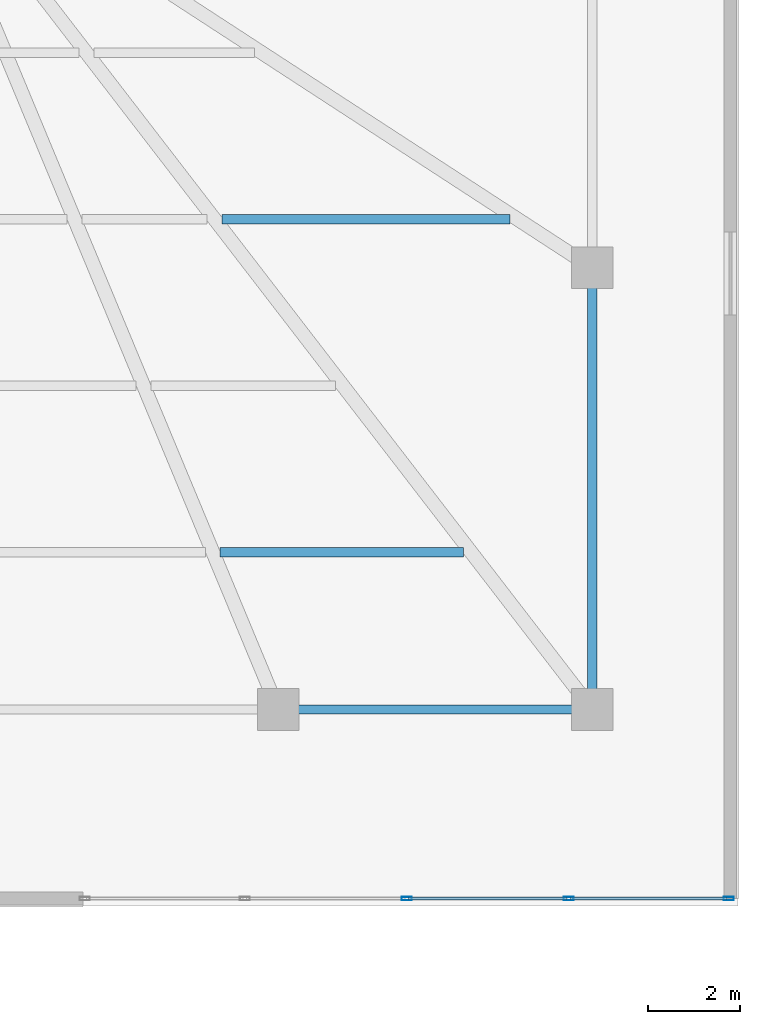
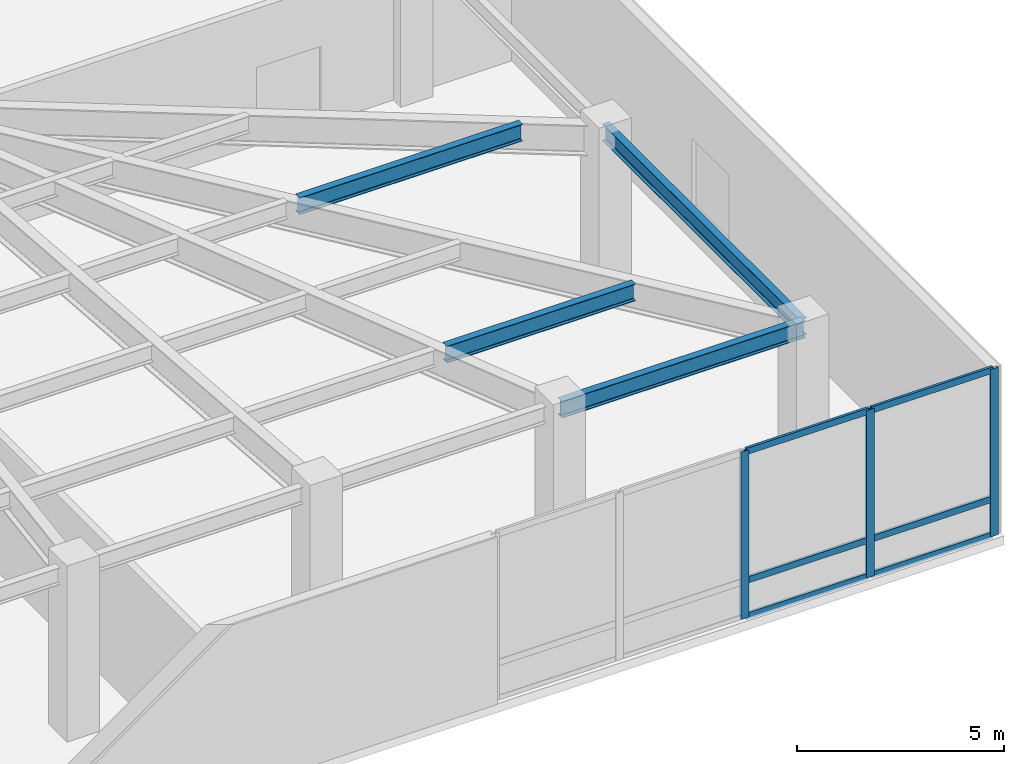
# One storey, part 6 of 15: 9 members, 4 beams, 1 element without a shape of its own.
"""IFC4 building model written with IfcOpenShell, lengths in metres."""

from ifc_helpers import new_model, si_unit, direction, frame, origin, origin_2d, place, context, subcontext, project, spatial, hollow_rectangle, i_section, extrude, material, material_profile, profile_set, type_object, element, aggregate, save


model = new_model("IFC4")

# Units and contexts
model_context = context("Model", 3, precision=1e-05, world=origin(), true_north=direction((0.0, 1.0)))
body_context = subcontext(model_context, "Body", "Model", "MODEL_VIEW")
ifc_project = project(units=[si_unit("LENGTHUNIT", "METRE"), si_unit("AREAUNIT", "SQUARE_METRE"), si_unit("VOLUMEUNIT", "CUBIC_METRE"), si_unit("PLANEANGLEUNIT", "RADIAN"), si_unit("MASSUNIT", "GRAM", prefix="KILO")], contexts=[model_context])

# Site, building, storey
site_placement = place(None, origin())
site = spatial("IfcSite", under=ifc_project, at=site_placement, CompositionType="ELEMENT")
building_placement = place(site_placement, origin())
building = spatial("IfcBuilding", under=site, at=building_placement, Name="Yelkora Congress Tower", CompositionType="ELEMENT")
storey_placement = place(building_placement, frame((0.0, 0.0, 10.39990234375)))
storey = spatial("IfcBuildingStorey", under=building, at=storey_placement, Name="L02", CompositionType="ELEMENT", Elevation=10.39990234375)

# Beams
ifc_material_1 = material(Name="Steel S355J2", Category="steel")
ifc_material_profile_1 = material_profile(ifc_material_1, i_section(OverallWidth=0.199951171875, OverallDepth=0.5, WebThickness=0.01025390625, FlangeThickness=0.01611328125, FilletRadius=0.02099609375, at=origin_2d()), Name="IPE 500")
ifc_profile_set_1 = profile_set([ifc_material_profile_1], Name="Steel S355J2")
beam_type_1 = type_object("IfcBeamType", Name="BM-JOIST-IPE500", PredefinedType="JOIST", material=ifc_profile_set_1)
beam_1_placement = place(storey_placement, frame((64.306640625, 9.449951171875, 4.690185546875), z_axis=(1.0, 0.0, 0.0), x_axis=(0.0, 1.0, 0.0)))
element("IfcBeam", 1, at=beam_1_placement, inside=storey, type_object=beam_type_1, Name="L02 Composite Floor Joist 10", PredefinedType="JOIST", context=body_context, shape_type="SweptSolid", body=[
    extrude(i_section(OverallWidth=0.199951171875, OverallDepth=0.5, WebThickness=0.01025390625, FlangeThickness=0.01611328125, FilletRadius=0.02099609375, at=origin_2d()), origin(), (0.0, 0.0, 1.0), 5.2646484375),
])
beam_2_placement = place(storey_placement, frame((64.345458984375, 16.64990234375, 4.690185546875), z_axis=(1.0, 0.0, 0.0), x_axis=(0.0, 1.0, 0.0)))
element("IfcBeam", 2, at=beam_2_placement, inside=storey, type_object=beam_type_1, Name="L02 Composite Floor Joist 31", PredefinedType="JOIST", context=body_context, shape_type="SweptSolid", body=[
    extrude(i_section(OverallWidth=0.199951171875, OverallDepth=0.5, WebThickness=0.01025390625, FlangeThickness=0.01611328125, FilletRadius=0.02099609375, at=origin_2d()), origin(), (0.0, 0.0, 1.0), 6.231201171875),
])
ifc_material_profile_2 = material_profile(ifc_material_1, i_section(OverallWidth=0.199951171875, OverallDepth=0.5, WebThickness=0.01025390625, FlangeThickness=0.01611328125, FilletRadius=0.02099609375, at=origin_2d()), Name="IPE 500")
ifc_profile_set_2 = profile_set([ifc_material_profile_2], Name="Steel S355J2")
beam_type_2 = type_object("IfcBeamType", Name="BM-SPAN-IPE500B", PredefinedType="BEAM", material=ifc_profile_set_2)
beam_3_placement = place(storey_placement, frame((65.56005859375, 6.050048828125, 4.690185546875), z_axis=(1.0, 0.0, 0.0), x_axis=(0.0, 1.0, 0.0)))
element("IfcBeam", 3, at=beam_3_placement, inside=storey, type_object=beam_type_2, Name="L02 Perimeter Beam 11", PredefinedType="BEAM", context=body_context, shape_type="SweptSolid", body=[
    extrude(i_section(OverallWidth=0.199951171875, OverallDepth=0.5, WebThickness=0.01025390625, FlangeThickness=0.01611328125, FilletRadius=0.02099609375, at=origin_2d()), origin(), (0.0, 0.0, 1.0), 6.7900390625),
])
beam_4_placement = place(storey_placement, frame((72.35009765625, 6.050048828125, 4.690185546875), z_axis=(0.0, 1.0, 0.0), x_axis=(-1.0, 0.0, 0.0)))
element("IfcBeam", 4, at=beam_4_placement, inside=storey, type_object=beam_type_2, Name="L02 Perimeter Beam 12", PredefinedType="BEAM", context=body_context, shape_type="SweptSolid", body=[
    extrude(i_section(OverallWidth=0.199951171875, OverallDepth=0.5, WebThickness=0.01025390625, FlangeThickness=0.01611328125, FilletRadius=0.02099609375, at=origin_2d()), origin(), (0.0, 0.0, 1.0), 9.550048828125),
])

# Curtain wall, members
ifc_material_2 = material(Name="Anodised aluminium and insulated glass", Category="aluminium")
curtain_wall_type = type_object("IfcCurtainWallType", Name="CW-SYS-POD", PredefinedType="NOTDEFINED", material=ifc_material_2)
curtain_wall_placement = place(storey_placement, origin())
curtain_wall = element("IfcCurtainWall", 5, at=curtain_wall_placement, inside=storey, type_object=curtain_wall_type, Name="L02 Podium Curtain Wall East", PredefinedType="NOTDEFINED")
ifc_material_3 = material(Name="Anodised aluminium 6063-T6", Category="aluminium")
ifc_material_profile_3 = material_profile(ifc_material_3, hollow_rectangle(XDim=0.074951171875, YDim=0.219970703125, WallThickness=0.0048828125, at=origin_2d()), Name="ALU 75x220x5")
ifc_profile_set_3 = profile_set([ifc_material_profile_3], Name="Anodised aluminium 6063-T6")
member_type_1 = type_object("IfcMemberType", Name="MEM-ML-POD", PredefinedType="MULLION", material=ifc_profile_set_3)
member_1_placement = place(storey_placement, frame((68.340087890625, 1.9599609375, 0.0), z_axis=(0.0, 0.0, 1.0), x_axis=(0.0, 1.0, 0.0)))
member_1 = element("IfcMember", 6, at=member_1_placement, type_object=member_type_1, Name="CW-POD mullion 3", PredefinedType="MULLION", context=body_context, shape_type="SweptSolid", body=[
    extrude(hollow_rectangle(XDim=0.074951171875, YDim=0.219970703125, WallThickness=0.0048828125, at=origin_2d()), origin(), (0.0, 0.0, 1.0), 4.940185546875),
])
member_2_placement = place(storey_placement, frame((71.840087890625, 1.9599609375, 0.0), z_axis=(0.0, 0.0, 1.0), x_axis=(0.0, 1.0, 0.0)))
member_2 = element("IfcMember", 7, at=member_2_placement, type_object=member_type_1, Name="CW-POD mullion 4", PredefinedType="MULLION", context=body_context, shape_type="SweptSolid", body=[
    extrude(hollow_rectangle(XDim=0.074951171875, YDim=0.219970703125, WallThickness=0.0048828125, at=origin_2d()), origin(), (0.0, 0.0, 1.0), 4.940185546875),
])
member_3_placement = place(storey_placement, frame((75.302490234375, 1.9599609375, 0.0), z_axis=(0.0, 0.0, 1.0), x_axis=(0.0, 1.0, 0.0)))
member_3 = element("IfcMember", 8, at=member_3_placement, type_object=member_type_1, Name="CW-POD mullion 5", PredefinedType="MULLION", context=body_context, shape_type="SweptSolid", body=[
    extrude(hollow_rectangle(XDim=0.074951171875, YDim=0.219970703125, WallThickness=0.0048828125, at=origin_2d()), origin(), (0.0, 0.0, 1.0), 4.940185546875),
])
ifc_material_profile_4 = material_profile(ifc_material_3, hollow_rectangle(XDim=0.070068359375, YDim=0.18994140625, WallThickness=0.00390625, at=origin_2d()), Name="ALU 70x190x4")
ifc_profile_set_4 = profile_set([ifc_material_profile_4], Name="Anodised aluminium 6063-T6")
member_type_2 = type_object("IfcMemberType", Name="MEM-TR-POD", PredefinedType="USERDEFINED", material=ifc_profile_set_4)
member_4_placement = place(storey_placement, frame((68.37744140625, 1.9599609375, 0.03515625), z_axis=(1.0, 0.0, 0.0), x_axis=(0.0, 1.0, 0.0)))
member_4 = element("IfcMember", 9, at=member_4_placement, type_object=member_type_2, Name="CW-POD transom 3.1", ObjectType="TRANSOM", PredefinedType="USERDEFINED", context=body_context, shape_type="SweptSolid", body=[
    extrude(hollow_rectangle(XDim=0.070068359375, YDim=0.18994140625, WallThickness=0.00390625, at=origin_2d()), origin(), (0.0, 0.0, 1.0), 3.425048828125),
])
member_5_placement = place(storey_placement, frame((68.37744140625, 1.9599609375, 1.10009765625), z_axis=(1.0, 0.0, 0.0), x_axis=(0.0, 1.0, 0.0)))
member_5 = element("IfcMember", 10, at=member_5_placement, type_object=member_type_2, Name="CW-POD transom 3.2", ObjectType="TRANSOM", PredefinedType="USERDEFINED", context=body_context, shape_type="SweptSolid", body=[
    extrude(hollow_rectangle(XDim=0.070068359375, YDim=0.18994140625, WallThickness=0.00390625, at=origin_2d()), origin(), (0.0, 0.0, 1.0), 3.425048828125),
])
member_6_placement = place(storey_placement, frame((68.37744140625, 1.9599609375, 4.905029296875), z_axis=(1.0, 0.0, 0.0), x_axis=(0.0, 1.0, 0.0)))
member_6 = element("IfcMember", 11, at=member_6_placement, type_object=member_type_2, Name="CW-POD transom 3.3", ObjectType="TRANSOM", PredefinedType="USERDEFINED", context=body_context, shape_type="SweptSolid", body=[
    extrude(hollow_rectangle(XDim=0.070068359375, YDim=0.18994140625, WallThickness=0.00390625, at=origin_2d()), origin(), (0.0, 0.0, 1.0), 3.425048828125),
])
member_7_placement = place(storey_placement, frame((71.87744140625, 1.9599609375, 0.03515625), z_axis=(1.0, 0.0, 0.0), x_axis=(0.0, 1.0, 0.0)))
member_7 = element("IfcMember", 12, at=member_7_placement, type_object=member_type_2, Name="CW-POD transom 4.1", ObjectType="TRANSOM", PredefinedType="USERDEFINED", context=body_context, shape_type="SweptSolid", body=[
    extrude(hollow_rectangle(XDim=0.070068359375, YDim=0.18994140625, WallThickness=0.00390625, at=origin_2d()), origin(), (0.0, 0.0, 1.0), 3.387451171875),
])
member_8_placement = place(storey_placement, frame((71.87744140625, 1.9599609375, 1.10009765625), z_axis=(1.0, 0.0, 0.0), x_axis=(0.0, 1.0, 0.0)))
member_8 = element("IfcMember", 13, at=member_8_placement, type_object=member_type_2, Name="CW-POD transom 4.2", ObjectType="TRANSOM", PredefinedType="USERDEFINED", context=body_context, shape_type="SweptSolid", body=[
    extrude(hollow_rectangle(XDim=0.070068359375, YDim=0.18994140625, WallThickness=0.00390625, at=origin_2d()), origin(), (0.0, 0.0, 1.0), 3.387451171875),
])
member_9_placement = place(storey_placement, frame((71.87744140625, 1.9599609375, 4.905029296875), z_axis=(1.0, 0.0, 0.0), x_axis=(0.0, 1.0, 0.0)))
member_9 = element("IfcMember", 14, at=member_9_placement, type_object=member_type_2, Name="CW-POD transom 4.3", ObjectType="TRANSOM", PredefinedType="USERDEFINED", context=body_context, shape_type="SweptSolid", body=[
    extrude(hollow_rectangle(XDim=0.070068359375, YDim=0.18994140625, WallThickness=0.00390625, at=origin_2d()), origin(), (0.0, 0.0, 1.0), 3.387451171875),
])
aggregate(curtain_wall, [member_1, member_2, member_3, member_4, member_5, member_6, member_7, member_8, member_9])

save(model, "model.ifc")
